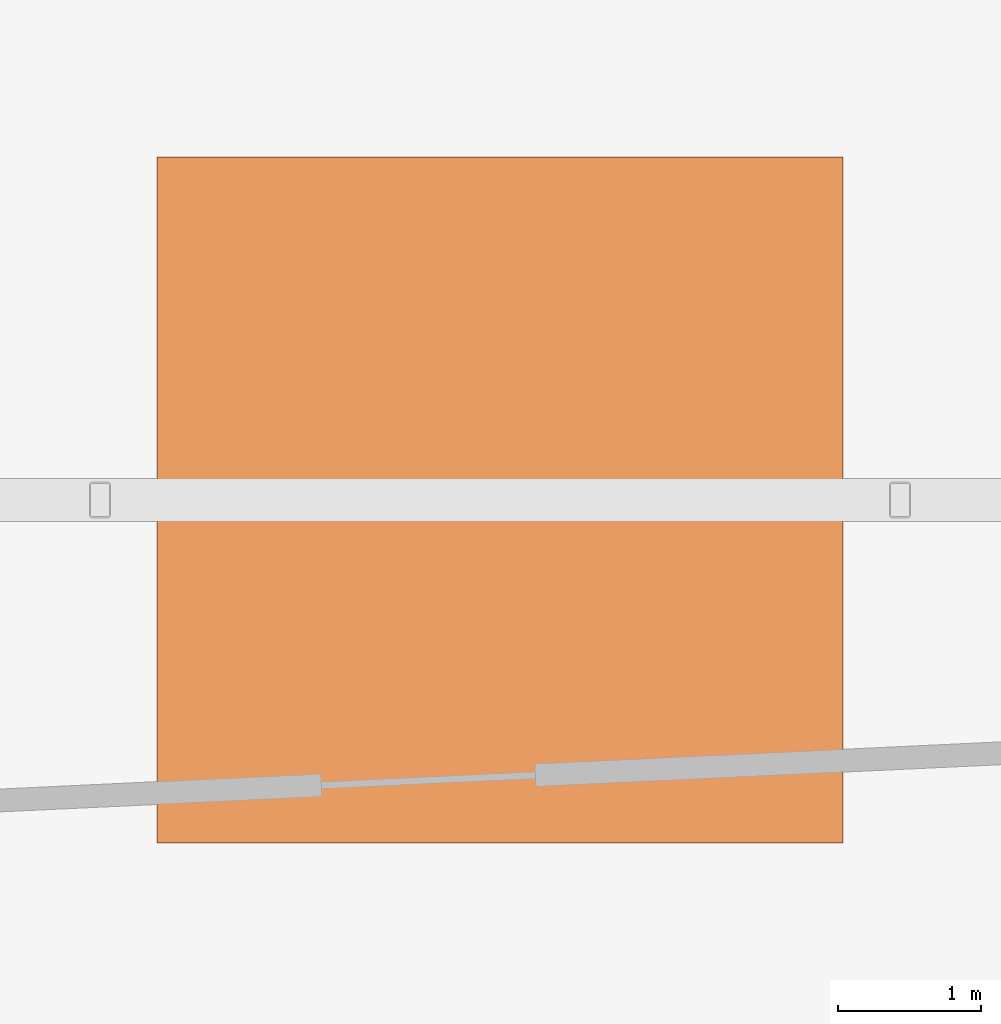
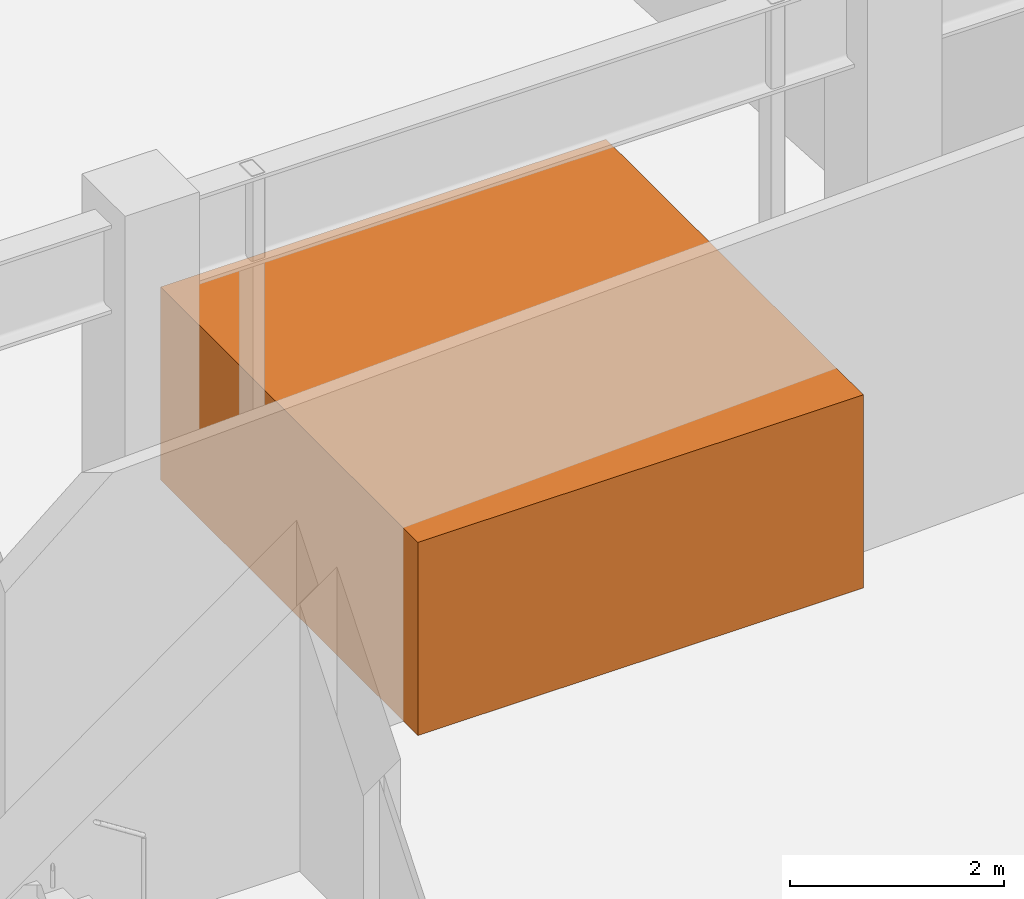
# One storey, part 22 of 22: 1 proxy.
"""IFC4 building model written with IfcOpenShell, lengths in metres."""

import ifcopenshell
import ifcopenshell.guid

model = None  # the IFC model being written
_history = None  # IfcOwnerHistory: only IFC2X3 demands one
_inside = {}  # id of a spatial element -> (the spatial element, [elements in it])
_under = {}  # id of a project, library or spatial element -> (it, [spatial elements below it])
_declared = {}  # id of a project -> (the project, [libraries it declares])
_typed = {}  # id of a type object -> (the type object, [elements of that type])
_made_of = {}  # id of a material, layer set ... -> (it, [elements and type objects made of it])


def new_model(schema):
    """Start an empty IFC model of exactly this schema.

    Asked for "IFC4X3", IfcOpenShell would pick the latest addendum, in which some entities
    have other attributes; the version numbers below select the first issue.
    IFC2X3 requires an IfcOwnerHistory on every rooted entity: one is made here for all.
    """
    global model, _history
    if schema == "IFC4X3":
        model = ifcopenshell.file(schema_version=(4, 3, 0, 0))
    else:
        model = ifcopenshell.file(schema=schema)
    _inside.clear()
    _under.clear()
    _declared.clear()
    _typed.clear()
    _made_of.clear()
    _history = None
    if model.schema == "IFC2X3":
        org = make("IfcOrganization", Name="unknown")
        user = make(
            "IfcPersonAndOrganization",
            ThePerson=make("IfcPerson", FamilyName="unknown"),
            TheOrganization=org,
        )
        app = make(
            "IfcApplication",
            ApplicationDeveloper=org,
            Version="unknown",
            ApplicationFullName="unknown",
            ApplicationIdentifier="unknown",
        )
        _history = make(
            "IfcOwnerHistory",
            OwningUser=user,
            OwningApplication=app,
            ChangeAction="ADDED",
            CreationDate=0,
        )
    return model


def make(cls, **values):
    """One entity of the class cls with the attributes given. An attribute that is None is left unset."""
    return model.create_entity(
        cls, **{name: value for name, value in values.items() if value is not None}
    )


def rooted(cls, **values):
    """An entity with a GlobalId (a new one), such as an element, a storey or a relation."""
    return make(cls, GlobalId=ifcopenshell.guid.new(), OwnerHistory=_history, **values)


def si_unit(unit_type, name, prefix=None):
    """IfcSIUnit, for example si_unit("LENGTHUNIT", "METRE", prefix="MILLI")."""
    return make("IfcSIUnit", UnitType=unit_type, Prefix=prefix, Name=name)


def assignment(units):
    """IfcUnitAssignment: the units of a project."""
    return None if units is None else make("IfcUnitAssignment", Units=units)


def point(xyz):
    """IfcCartesianPoint."""
    return None if xyz is None else make("IfcCartesianPoint", Coordinates=xyz)


def direction(xyz):
    """IfcDirection."""
    return None if xyz is None else make("IfcDirection", DirectionRatios=xyz)


def frame(location, z_axis=None, x_axis=None):
    """IfcAxis2Placement3D, a coordinate frame: its origin and axes. An axis left out is left unset."""
    return make(
        "IfcAxis2Placement3D",
        Location=point(location),
        Axis=direction(z_axis),
        RefDirection=direction(x_axis),
    )


def frame_2d(location, x_axis=None):
    """IfcAxis2Placement2D, a coordinate frame in the plane: its origin and x axis."""
    return make(
        "IfcAxis2Placement2D", Location=point(location), RefDirection=direction(x_axis)
    )


def origin():
    """The frame at (0, 0, 0) with its axes left unset."""
    return frame((0.0, 0.0, 0.0))


def origin_2d():
    """The frame at (0, 0) in the plane with its x axis left unset."""
    return frame_2d((0.0, 0.0))


def place(relative_to, where):
    """IfcLocalPlacement: puts the frame where relative to a parent placement (None: the world)."""
    return make(
        "IfcLocalPlacement", PlacementRelTo=relative_to, RelativePlacement=where
    )


def context(
    kind, dimensions, precision=None, world=None, true_north=None, identifier=None
):
    """IfcGeometricRepresentationContext, for example the 3D "Model" context."""
    return make(
        "IfcGeometricRepresentationContext",
        ContextIdentifier=identifier,
        ContextType=kind,
        CoordinateSpaceDimension=dimensions,
        Precision=precision,
        WorldCoordinateSystem=world,
        TrueNorth=true_north,
    )


def subcontext(parent, identifier, kind, view, scale=None):
    """IfcGeometricRepresentationSubContext, for example "Body" below "Model"."""
    return make(
        "IfcGeometricRepresentationSubContext",
        ContextIdentifier=identifier,
        ContextType=kind,
        ParentContext=parent,
        TargetScale=scale,
        TargetView=view,
    )


def project(units=None, contexts=None):
    """IfcProject with its units and contexts."""
    return rooted(
        "IfcProject",
        Name="project",
        RepresentationContexts=contexts,
        UnitsInContext=assignment(units),
    )


def spatial(cls, under=None, at=None, **own):
    """A site, building, storey or space (cls), placed at a placement, below another one or the project."""
    s = rooted(cls, ObjectPlacement=at, **own)
    if under is not None:
        _under.setdefault(under.id(), (under, []))[1].append(s)
    return s


def profile(cls, at=None, kind="AREA", **sizes):
    """A parametric profile (cls). Its sizes go by their IFC names, for example OverallWidth=200.0."""
    return make(cls, ProfileType=kind, Position=at, **sizes)


def rectangle(**sizes):
    """IfcRectangleProfileDef."""
    return profile("IfcRectangleProfileDef", **sizes)


def extrude(swept, where, along, depth):
    """IfcExtrudedAreaSolid: the profile swept, set in the frame where, extruded along a direction by depth."""
    return make(
        "IfcExtrudedAreaSolid",
        SweptArea=swept,
        Position=where,
        ExtrudedDirection=direction(along),
        Depth=depth,
    )


def shape(context_of_items, identifier, shape_type, items):
    """IfcShapeRepresentation: the items that make up one representation, for example the "Body"."""
    return make(
        "IfcShapeRepresentation",
        ContextOfItems=context_of_items,
        RepresentationIdentifier=identifier,
        RepresentationType=shape_type,
        Items=items,
    )


def material(Name=None, Category=None):
    """IfcMaterial."""
    return make("IfcMaterial", Name=Name, Category=Category)


def made_of(thing, what):
    """Note that an element or type object is made of a material, layer set ...; save() writes the relation."""
    if what is not None:
        _made_of.setdefault(what.id(), (what, []))[1].append(thing)
    return thing


def type_object(cls, material=None, **own):
    """A type object (cls), such as IfcWallType, which elements share."""
    return made_of(rooted(cls, **own), material)


def element(
    cls,
    number,
    at=None,
    inside=None,
    cuts=None,
    type_object=None,
    material=None,
    context=None,
    identifier="Body",
    shape_type=None,
    held_by="IfcProductDefinitionShape",
    body=None,
    shapes=None,
    **own,
):
    """One element of the class cls, such as IfcWall. Its Tag is "e" and its number.

    at: its placement. inside: the storey or other place that contains it. cuts: it is an
    opening in that element (IfcRelVoidsElement). A single representation is given by context,
    identifier, shape_type and body (its items); several are given by shapes. held_by: the class
    of the entity that holds the representations. save() writes the other relations.
    """
    e = rooted(cls, Tag="e%d" % number, ObjectPlacement=at, **own)
    if body is not None:
        shapes = [shape(context, identifier, shape_type, body)]
    if shapes is not None:
        e.Representation = make(held_by, Representations=shapes)
    if inside is not None:
        _inside.setdefault(inside.id(), (inside, []))[1].append(e)
    if cuts is not None:
        rooted(
            "IfcRelVoidsElement", RelatingBuildingElement=cuts, RelatedOpeningElement=e
        )
    if type_object is not None:
        _typed.setdefault(type_object.id(), (type_object, []))[1].append(e)
    return made_of(e, material)


def aggregate(whole, parts):
    """IfcRelAggregates: a whole, such as a stair, and the parts it consists of."""
    return rooted("IfcRelAggregates", RelatingObject=whole, RelatedObjects=parts)


def save(model, path):
    """Write the relations noted so far, then the file.

    IfcRelAggregates (storeys below a building ...), IfcRelContainedInSpatialStructure (elements
    in a storey), IfcRelDefinesByType, IfcRelAssociatesMaterial and IfcRelDeclares: one each for
    every whole, place, type object, material and project.
    """
    for whole, parts in _under.values():
        aggregate(whole, parts)
    for where, things in _inside.values():
        rooted(
            "IfcRelContainedInSpatialStructure",
            RelatedElements=things,
            RelatingStructure=where,
        )
    for kind, things in _typed.values():
        rooted("IfcRelDefinesByType", RelatedObjects=things, RelatingType=kind)
    for what, things in _made_of.values():
        rooted("IfcRelAssociatesMaterial", RelatedObjects=things, RelatingMaterial=what)
    for by, libraries in _declared.values():
        rooted("IfcRelDeclares", RelatingContext=by, RelatedDefinitions=libraries)
    model.write(path)


model = new_model("IFC4")

# Units and contexts
model_context = context("Model", 3, precision=1e-05, world=origin(), true_north=direction((0.0, 1.0)))
body_context = subcontext(model_context, "Body", "Model", "MODEL_VIEW")
ifc_project = project(units=[si_unit("LENGTHUNIT", "METRE"), si_unit("AREAUNIT", "SQUARE_METRE"), si_unit("VOLUMEUNIT", "CUBIC_METRE"), si_unit("PLANEANGLEUNIT", "RADIAN"), si_unit("MASSUNIT", "GRAM", prefix="KILO")], contexts=[model_context])

# Site, building, storey
site_placement = place(None, origin())
site = spatial("IfcSite", under=ifc_project, at=site_placement, CompositionType="ELEMENT")
building_placement = place(site_placement, origin())
building = spatial("IfcBuilding", under=site, at=building_placement, Name="Qingluan Cross Belvedere", CompositionType="ELEMENT")
storey_placement = place(building_placement, frame((0.0, 0.0, 294.0)))
storey = spatial("IfcBuildingStorey", under=building, at=storey_placement, Name="L73", CompositionType="ELEMENT", Elevation=294.0)

# Proxy
ifc_material = material(Name="Steel Q420GJB", Category="steel")
building_element_proxy_type = type_object("IfcBuildingElementProxyType", Name="TunedMassDamper_350t", PredefinedType="USERDEFINED", material=ifc_material)
proxy_placement = place(storey_placement, frame((0.0, 12.60009765625, 0.0), z_axis=(0.0, 0.0, 1.0), x_axis=(1.0, 0.0, 0.0)))
element("IfcBuildingElementProxy", 1, at=proxy_placement, inside=storey, type_object=building_element_proxy_type, Name="Tuned mass damper pendulum mass 350t", ObjectType="TUNED MASS DAMPER", PredefinedType="USERDEFINED", context=body_context, shape_type="SweptSolid", body=[
    extrude(rectangle(XDim=4.800048828125, YDim=4.800048828125, at=origin_2d()), origin(), (0.0, 0.0, 1.0), 2.199951171875),
])

save(model, "model.ifc")
